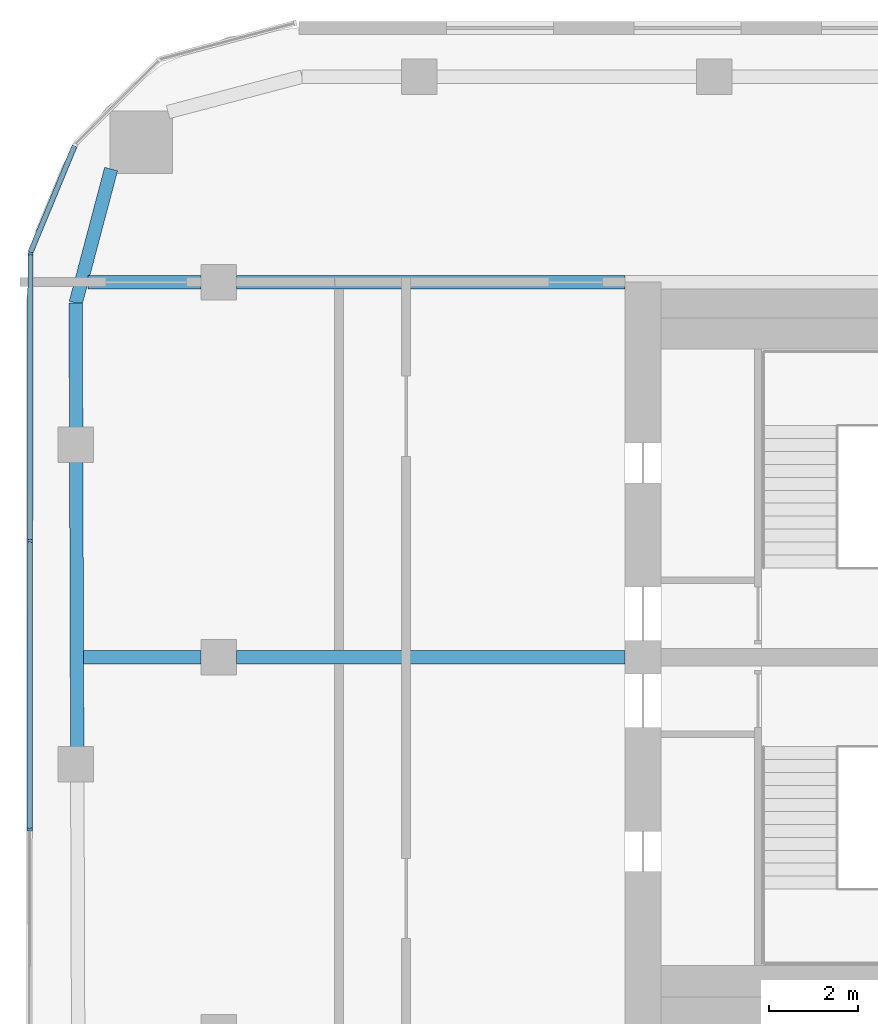
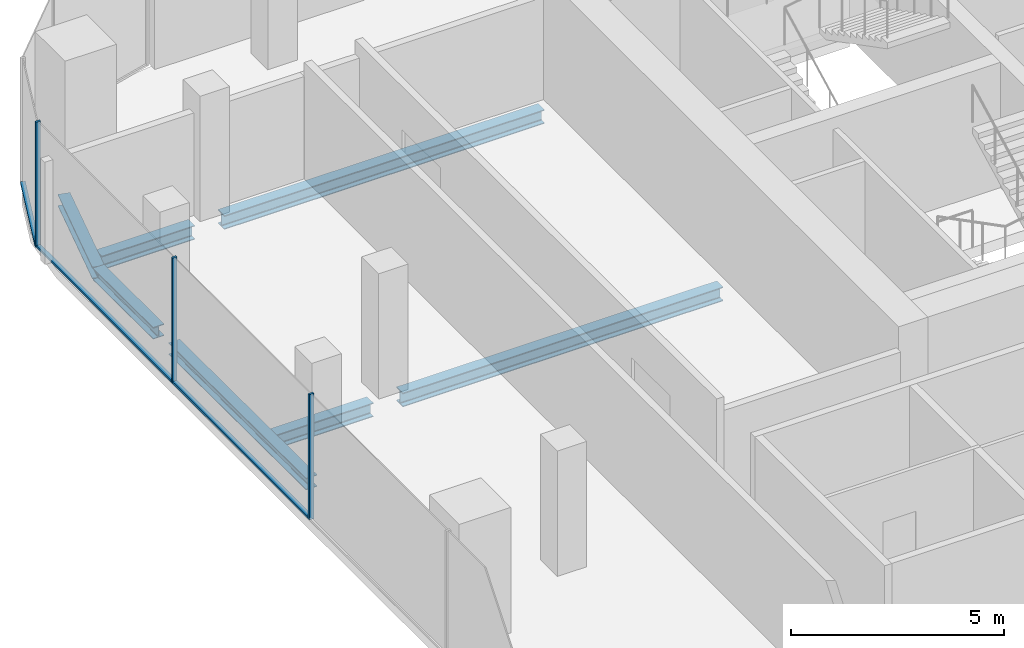
# One storey, part 8 of 20: 7 beams, 6 members, 2 elements without a shape of their own.
"""IFC4 building model written with IfcOpenShell, lengths in metres."""

from ifc_helpers import new_model, si_unit, direction, frame, origin, origin_2d, place, context, subcontext, project, spatial, rectangle, i_section, extrude, material, layer, layer_set, material_profile, profile_set, type_object, element, aggregate, save


model = new_model("IFC4")

# Units and contexts
model_context = context("Model", 3, precision=1e-05, world=origin(), true_north=direction((0.0, 1.0)))
body_context = subcontext(model_context, "Body", "Model", "MODEL_VIEW")
ifc_project = project(units=[si_unit("LENGTHUNIT", "METRE"), si_unit("AREAUNIT", "SQUARE_METRE"), si_unit("VOLUMEUNIT", "CUBIC_METRE"), si_unit("PLANEANGLEUNIT", "RADIAN"), si_unit("MASSUNIT", "GRAM", prefix="KILO")], contexts=[model_context])

# Site, building, storey
site_placement = place(None, origin())
site = spatial("IfcSite", under=ifc_project, at=site_placement, CompositionType="ELEMENT")
building_placement = place(site_placement, origin())
building = spatial("IfcBuilding", under=site, at=building_placement, Name="Marenta Gate Hotel Tower", CompositionType="ELEMENT")
storey_placement = place(building_placement, frame((0.0, 0.0, 216.5)))
storey = spatial("IfcBuildingStorey", under=building, at=storey_placement, Name="L50", CompositionType="ELEMENT", Elevation=216.5)

# Beams
ifc_material_1 = material(Name="Steel S355", Category="steel")
ifc_material_profile_1 = material_profile(ifc_material_1, i_section(OverallWidth=0.300048828125, OverallDepth=0.340087890625, WebThickness=0.011962890625, FlangeThickness=0.021484375, FilletRadius=0.027099609375, at=origin_2d()), Name="HEB 340")
ifc_profile_set_1 = profile_set([ifc_material_profile_1], Name="Steel S355")
beam_type_1 = type_object("IfcBeamType", Name="Edge beam HEB 340", PredefinedType="SPANDREL", material=ifc_profile_set_1)
beam_1_placement = place(storey_placement, frame((-24.166748046875, 6.36328125, -0.429931640625), z_axis=(-0.00333963982, 0.999994423387, 0.0), x_axis=(-0.999994423387, -0.00333963982, 0.0)))
element("IfcBeam", 1, at=beam_1_placement, inside=storey, type_object=beam_type_1, Name="L50-EB-9", PredefinedType="SPANDREL", context=body_context, shape_type="SweptSolid", body=[
    extrude(i_section(OverallWidth=0.300048828125, OverallDepth=0.340087890625, WebThickness=0.011962890625, FlangeThickness=0.021484375, FilletRadius=0.027099609375, at=origin_2d()), origin(), (0.0, 0.0, 1.0), 6.43310546875),
])
beam_2_placement = place(storey_placement, frame((-24.190673828125, 13.516357421875, -0.429931640625), z_axis=(-0.003292020626, 0.999994581285, 0.0), x_axis=(-0.999994581285, -0.003292020626, 0.0)))
element("IfcBeam", 2, at=beam_2_placement, inside=storey, type_object=beam_type_1, Name="L50-EB-10", PredefinedType="SPANDREL", context=body_context, shape_type="SweptSolid", body=[
    extrude(i_section(OverallWidth=0.300048828125, OverallDepth=0.340087890625, WebThickness=0.011962890625, FlangeThickness=0.021484375, FilletRadius=0.027099609375, at=origin_2d()), origin(), (0.0, 0.0, 1.0), 2.818115234375),
])
beam_3_placement = place(storey_placement, frame((-24.199951171875, 16.33447265625, -0.429931640625), z_axis=(0.255648013319, 0.966769927794, 0.0), x_axis=(-0.966769927794, 0.255648013319, 0.0)))
element("IfcBeam", 3, at=beam_3_placement, inside=storey, type_object=beam_type_1, Name="L50-EB-11", PredefinedType="SPANDREL", context=body_context, shape_type="SweptSolid", body=[
    extrude(i_section(OverallWidth=0.300048828125, OverallDepth=0.340087890625, WebThickness=0.011962890625, FlangeThickness=0.021484375, FilletRadius=0.027099609375, at=origin_2d()), origin(), (0.0, 0.0, 1.0), 3.100830078125),
])
ifc_material_2 = material(Name="Steel S355", Category="steel")
ifc_material_profile_2 = material_profile(ifc_material_2, i_section(OverallWidth=0.300048828125, OverallDepth=0.39990234375, WebThickness=0.013427734375, FlangeThickness=0.02392578125, FilletRadius=0.027099609375, at=origin_2d()), Name="HEB 400")
ifc_profile_set_2 = profile_set([ifc_material_profile_2], Name="Steel S355")
beam_type_2 = type_object("IfcBeamType", Name="Girder HEB 400", PredefinedType="BEAM", material=ifc_profile_set_2)
beam_4_placement = place(storey_placement, frame((-24.023681640625, 8.39990234375, -0.4599609375), z_axis=(1.0, 0.0, 0.0), x_axis=(0.0, 1.0, 0.0)))
element("IfcBeam", 4, at=beam_4_placement, inside=storey, type_object=beam_type_2, Name="L50-GD-25", PredefinedType="BEAM", context=body_context, shape_type="SweptSolid", body=[
    extrude(i_section(OverallWidth=0.300048828125, OverallDepth=0.39990234375, WebThickness=0.013427734375, FlangeThickness=0.02392578125, FilletRadius=0.027099609375, at=origin_2d()), origin(), (0.0, 0.0, 1.0), 2.623779296875),
])
beam_5_placement = place(storey_placement, frame((-20.60009765625, 8.39990234375, -0.4599609375), z_axis=(1.0, 0.0, 0.0), x_axis=(0.0, 1.0, 0.0)))
element("IfcBeam", 5, at=beam_5_placement, inside=storey, type_object=beam_type_2, Name="L50-GD-26", PredefinedType="BEAM", context=body_context, shape_type="SweptSolid", body=[
    extrude(i_section(OverallWidth=0.300048828125, OverallDepth=0.39990234375, WebThickness=0.013427734375, FlangeThickness=0.02392578125, FilletRadius=0.027099609375, at=origin_2d()), origin(), (0.0, 0.0, 1.0), 8.7001953125),
])
beam_6_placement = place(storey_placement, frame((-23.921630859375, 16.800048828125, -0.4599609375), z_axis=(1.0, 0.0, 0.0), x_axis=(0.0, 1.0, 0.0)))
element("IfcBeam", 6, at=beam_6_placement, inside=storey, type_object=beam_type_2, Name="L50-GD-29", PredefinedType="BEAM", context=body_context, shape_type="SweptSolid", body=[
    extrude(i_section(OverallWidth=0.300048828125, OverallDepth=0.39990234375, WebThickness=0.013427734375, FlangeThickness=0.02392578125, FilletRadius=0.027099609375, at=origin_2d()), origin(), (0.0, 0.0, 1.0), 2.521728515625),
])
beam_7_placement = place(storey_placement, frame((-20.60009765625, 16.800048828125, -0.4599609375), z_axis=(1.0, 0.0, 0.0), x_axis=(0.0, 1.0, 0.0)))
element("IfcBeam", 7, at=beam_7_placement, inside=storey, type_object=beam_type_2, Name="L50-GD-30", PredefinedType="BEAM", context=body_context, shape_type="SweptSolid", body=[
    extrude(i_section(OverallWidth=0.300048828125, OverallDepth=0.39990234375, WebThickness=0.013427734375, FlangeThickness=0.02392578125, FilletRadius=0.027099609375, at=origin_2d()), origin(), (0.0, 0.0, 1.0), 8.7001953125),
])

# Curtain wall, members
ifc_material_3 = material(Name="Tinted insulated glass in bronze anodised frame", Category="glass")
ifc_layer = layer(ifc_material_3, 0.1201171875)
ifc_layer_set = layer_set([ifc_layer], Name="Tinted insulated glass in bronze anodised frame")
curtain_wall_type = type_object("IfcCurtainWallType", Name="Tower unitised curtain wall CW1", PredefinedType="NOTDEFINED", material=ifc_layer_set)
curtain_wall_1_placement = place(storey_placement, origin())
curtain_wall_1 = element("IfcCurtainWall", 8, at=curtain_wall_1_placement, inside=storey, type_object=curtain_wall_type, Name="CW1 run G03", PredefinedType="NOTDEFINED")
ifc_material_4 = material(Name="Bronze anodised aluminium", Category="aluminium")
ifc_material_profile_3 = material_profile(ifc_material_4, rectangle(XDim=0.1201171875, YDim=0.06005859375, at=origin_2d()), Name="Mullion CW1 60x120 bronze anodised aluminium")
ifc_profile_set_3 = profile_set([ifc_material_profile_3], Name="Bronze anodised aluminium")
member_type_1 = type_object("IfcMemberType", Name="Mullion CW1 60x120 bronze anodised aluminium", PredefinedType="MULLION", material=ifc_profile_set_3)
member_1_placement = place(storey_placement, frame((-25.21240234375, 17.436279296875, 0.0), z_axis=(0.0, 0.0, 1.0), x_axis=(0.99999877375, -0.001566045546, 0.0)))
member_1 = element("IfcMember", 9, at=member_1_placement, type_object=member_type_1, Name="CW1 mullion 1", PredefinedType="MULLION", context=body_context, shape_type="SweptSolid", body=[
    extrude(rectangle(XDim=0.1201171875, YDim=0.06005859375, at=origin_2d()), origin(), (0.0, 0.0, 1.0), 3.60009765625),
])
member_2_placement = place(storey_placement, frame((-25.222412109375, 11.006103515625, 0.0), z_axis=(0.0, 0.0, 1.0), x_axis=(0.99999877375, -0.001566045546, 0.0)))
member_2 = element("IfcMember", 10, at=member_2_placement, type_object=member_type_1, Name="CW1 mullion 2", PredefinedType="MULLION", context=body_context, shape_type="SweptSolid", body=[
    extrude(rectangle(XDim=0.1201171875, YDim=0.06005859375, at=origin_2d()), origin(), (0.0, 0.0, 1.0), 3.60009765625),
])
member_3_placement = place(storey_placement, frame((-25.232421875, 4.546142578125, 0.0), z_axis=(0.0, 0.0, 1.0), x_axis=(0.99999877375, -0.001566045546, 0.0)))
member_3 = element("IfcMember", 11, at=member_3_placement, type_object=member_type_1, Name="CW1 mullion 3", PredefinedType="MULLION", context=body_context, shape_type="SweptSolid", body=[
    extrude(rectangle(XDim=0.1201171875, YDim=0.06005859375, at=origin_2d()), origin(), (0.0, 0.0, 1.0), 3.60009765625),
])

# Curtain wall, member
curtain_wall_2_placement = place(storey_placement, origin())
curtain_wall_2 = element("IfcCurtainWall", 12, at=curtain_wall_2_placement, inside=storey, type_object=curtain_wall_type, Name="CW1 run G02", PredefinedType="NOTDEFINED")
ifc_material_5 = material(Name="Bronze anodised aluminium", Category="aluminium")
ifc_material_profile_4 = material_profile(ifc_material_5, rectangle(XDim=0.1201171875, YDim=0.06005859375, at=origin_2d()), Name="Transom CW1 60x120 bronze anodised aluminium")
ifc_profile_set_4 = profile_set([ifc_material_profile_4], Name="Bronze anodised aluminium")
member_type_2 = type_object("IfcMemberType", Name="Transom CW1 60x120 bronze anodised aluminium", PredefinedType="USERDEFINED", material=ifc_profile_set_4)
member_4_placement = place(storey_placement, frame((-24.2265625, 19.845947265625, 0.030029296875), z_axis=(-0.382736860682, -0.923857399968, 0.0), x_axis=(0.923857399968, -0.382736860682, 0.0)))
member_4 = element("IfcMember", 13, at=member_4_placement, type_object=member_type_2, Name="CW1 transom 1.1", ObjectType="TRANSOM", PredefinedType="USERDEFINED", context=body_context, shape_type="SweptSolid", body=[
    extrude(rectangle(XDim=0.1201171875, YDim=0.06005859375, at=origin_2d()), origin(), (0.0, 0.0, 1.0), 2.57568359375),
])
aggregate(curtain_wall_2, [member_4])

# Member
member_5_placement = place(storey_placement, frame((-25.21240234375, 17.40625, 0.030029296875), z_axis=(-0.00157136093, -0.999998765412, 0.0), x_axis=(0.999998765412, -0.00157136093, 0.0)))
member_5 = element("IfcMember", 14, at=member_5_placement, type_object=member_type_2, Name="CW1 transom 1.1", ObjectType="TRANSOM", PredefinedType="USERDEFINED", context=body_context, shape_type="SweptSolid", body=[
    extrude(rectangle(XDim=0.1201171875, YDim=0.06005859375, at=origin_2d()), origin(), (0.0, 0.0, 1.0), 6.3701171875),
])

member_6_placement = place(storey_placement, frame((-25.222412109375, 10.976318359375, 0.030029296875), z_axis=(-0.001563988169, -0.99999877697, 0.0), x_axis=(0.99999877697, -0.001563988169, 0.0)))
member_6 = element("IfcMember", 15, at=member_6_placement, type_object=member_type_2, Name="CW1 transom 2.1", ObjectType="TRANSOM", PredefinedType="USERDEFINED", context=body_context, shape_type="SweptSolid", body=[
    extrude(rectangle(XDim=0.1201171875, YDim=0.06005859375, at=origin_2d()), origin(), (0.0, 0.0, 1.0), 6.400146484375),
])

aggregate(curtain_wall_1, [member_1, member_2, member_3, member_5, member_6])

save(model, "model.ifc")
